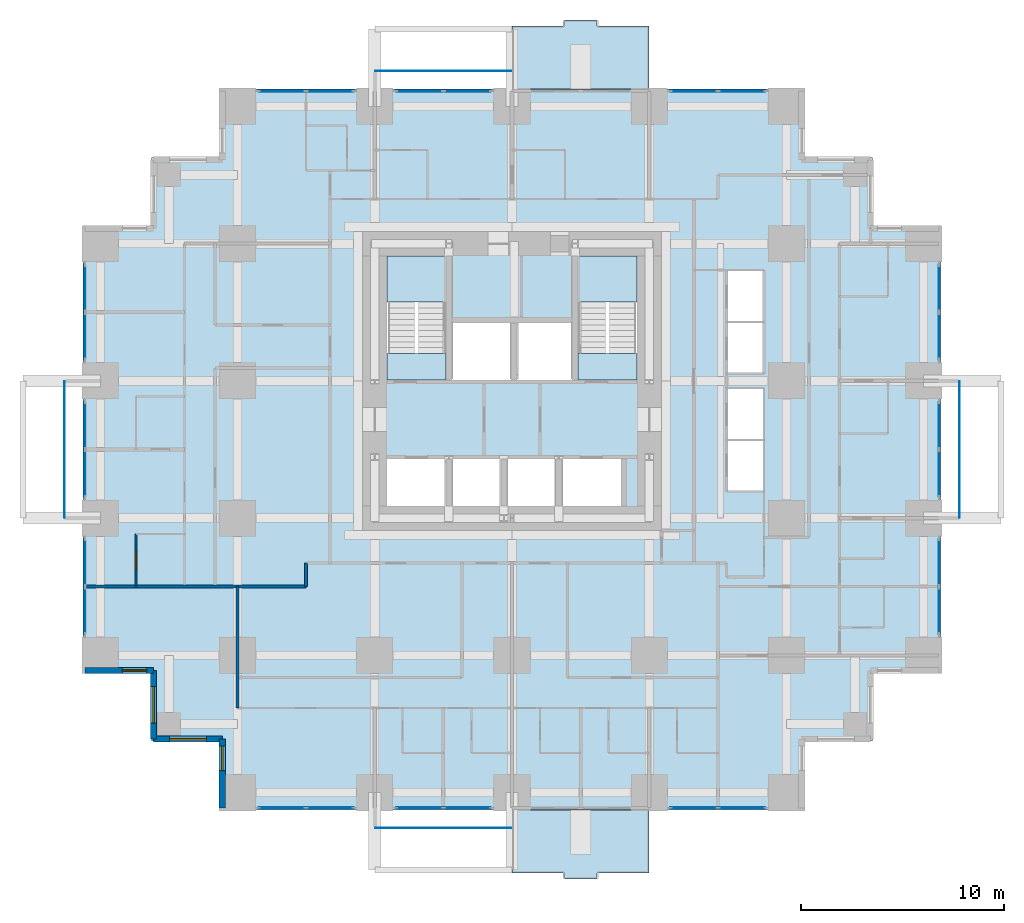
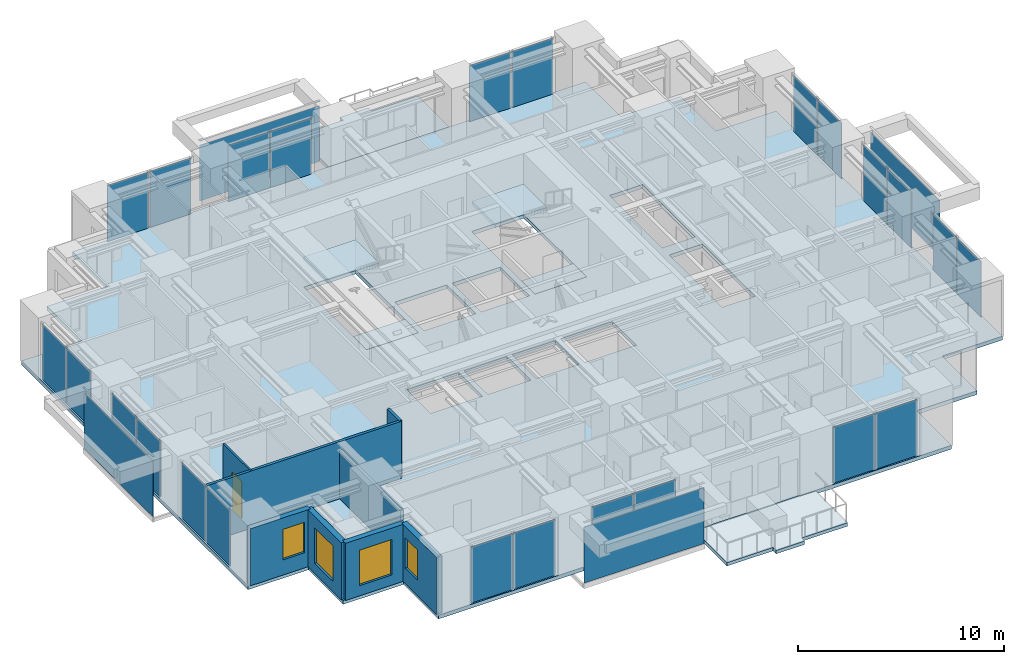
# One storey, part 6 of 12: 28 plates, 8 walls, 7 slabs, 4 windows, 1 door, 5 openings, 14 elements without a shape of their own.
"""IFC4 building model written with IfcOpenShell, lengths in metres."""

from ifc_helpers import new_model, si_unit, direction, frame, frame_2d, origin, origin_2d, place, context, subcontext, project, spatial, polyline, rectangle, outline, extrude, material, layer, layer_set, type_object, element, fill, aggregate, save


model = new_model("IFC4")

# Units and contexts
model_context = context("Model", 3, precision=1e-05, world=origin(), true_north=direction((0.0, 1.0)))
body_context = subcontext(model_context, "Body", "Model", "MODEL_VIEW")
ifc_project = project(units=[si_unit("LENGTHUNIT", "METRE"), si_unit("AREAUNIT", "SQUARE_METRE"), si_unit("VOLUMEUNIT", "CUBIC_METRE"), si_unit("PLANEANGLEUNIT", "RADIAN"), si_unit("MASSUNIT", "GRAM", prefix="KILO")], contexts=[model_context])

# Site, building, storey
site_placement = place(None, origin())
site = spatial("IfcSite", under=ifc_project, at=site_placement, CompositionType="ELEMENT")
building_placement = place(site_placement, origin())
building = spatial("IfcBuilding", under=site, at=building_placement, Name="Nyansa Garden Tower", CompositionType="ELEMENT")
storey_placement = place(building_placement, frame((0.0, 0.0, 90.89990234375)))
storey = spatial("IfcBuildingStorey", under=building, at=storey_placement, Name="L24", CompositionType="ELEMENT", Elevation=90.89990234375)

# Slabs
ifc_material_1 = material(Name="Concrete C40/50", Category="concrete")
ifc_layer_1 = layer(ifc_material_1, 0.199951171875)
ifc_layer_set_1 = layer_set([ifc_layer_1], Name="Balcony slab BS200")
slab_type_1 = type_object("IfcSlabType", Name="Balcony slab BS200", PredefinedType="FLOOR", material=ifc_layer_set_1)
slab_1_placement = place(storey_placement, frame((0.0, 0.0, -0.239990234375)))
element("IfcSlab", 1, at=slab_1_placement, inside=storey, type_object=slab_type_1, Name="Balcony L24 S", PredefinedType="FLOOR", context=body_context, shape_type="SweptSolid", body=[
    extrude(outline(polyline([(20.25, -0.85009765625), (27.0, -0.85009765625), (27.0, -3.949951171875), (24.425048828125, -3.949951171875), (24.425048828125, -4.25), (22.824951171875, -4.25), (22.824951171875, -3.949951171875), (20.25, -3.949951171875), (20.25, -0.85009765625)])), origin(), (0.0, 0.0, 1.0), 0.2001953125),
])
slab_2_placement = place(storey_placement, frame((0.0, 0.0, -0.239990234375)))
element("IfcSlab", 2, at=slab_2_placement, inside=storey, type_object=slab_type_1, Name="Balcony L24 N", PredefinedType="FLOOR", context=body_context, shape_type="SweptSolid", body=[
    extrude(outline(polyline([(20.25, 34.60009765625), (27.0, 34.60009765625), (27.0, 37.699951171875), (24.425048828125, 37.699951171875), (24.425048828125, 38.0), (22.824951171875, 38.0), (22.824951171875, 37.699951171875), (20.25, 37.699951171875), (20.25, 34.60009765625)])), origin(), (0.0, 0.0, 1.0), 0.2001953125),
])

# Curtain wall, plates
ifc_material_2 = material(Name="Black anodised aluminium, dark tinted double glazing", Category="aluminium")
curtain_wall_type = type_object("IfcCurtainWallType", Name="Inner skin curtain wall ISW-B", PredefinedType="USERDEFINED", material=ifc_material_2)
curtain_wall_1_placement = place(storey_placement, origin())
curtain_wall_1 = element("IfcCurtainWall", 3, at=curtain_wall_1_placement, inside=storey, type_object=curtain_wall_type, Name="Inner skin curtain wall L24 E", ObjectType="UNITISED CURTAIN WALL", PredefinedType="USERDEFINED")
ifc_material_3 = material(Name="Dark tinted laminated double glazing", Category="glass")
ifc_layer_2 = layer(ifc_material_3, 0.035888671875)
ifc_layer_set_2 = layer_set([ifc_layer_2], Name="Dark tinted vision panel VP-B")
plate_type_1 = type_object("IfcPlateType", Name="Dark tinted vision panel VP-B", PredefinedType="CURTAIN_PANEL", material=ifc_layer_set_2)
plate_1_placement = place(storey_placement, frame((41.25, 8.94384765625, 0.0), z_axis=(0.0, 0.0, 1.0), x_axis=(0.0, 1.0, 0.0)))
plate_1 = element("IfcPlate", 4, at=plate_1_placement, type_object=plate_type_1, Name="ISW-B panel 1", PredefinedType="CURTAIN_PANEL", context=body_context, shape_type="SweptSolid", body=[
    extrude(rectangle(XDim=2.297607421875, YDim=0.035888671875, at=origin_2d()), origin(), (0.0, 0.0, 1.0), 3.31005859375),
])
plate_2_placement = place(storey_placement, frame((41.25, 11.30615234375, 0.0), z_axis=(0.0, 0.0, 1.0), x_axis=(0.0, 1.0, 0.0)))
plate_2 = element("IfcPlate", 5, at=plate_2_placement, type_object=plate_type_1, Name="ISW-B panel 2", PredefinedType="CURTAIN_PANEL", context=body_context, shape_type="SweptSolid", body=[
    extrude(rectangle(XDim=2.297607421875, YDim=0.035888671875, at=origin_2d()), origin(), (0.0, 0.0, 1.0), 3.31005859375),
])
aggregate(curtain_wall_1, [plate_1, plate_2])

curtain_wall_2_placement = place(storey_placement, origin())
curtain_wall_2 = element("IfcCurtainWall", 6, at=curtain_wall_2_placement, inside=storey, type_object=curtain_wall_type, Name="Inner skin curtain wall L24 E", ObjectType="UNITISED CURTAIN WALL", PredefinedType="USERDEFINED")
plate_3_placement = place(storey_placement, frame((41.25, 15.69384765625, 0.0), z_axis=(0.0, 0.0, 1.0), x_axis=(0.0, 1.0, 0.0)))
plate_3 = element("IfcPlate", 7, at=plate_3_placement, type_object=plate_type_1, Name="ISW-B panel 1", PredefinedType="CURTAIN_PANEL", context=body_context, shape_type="SweptSolid", body=[
    extrude(rectangle(XDim=2.297607421875, YDim=0.035888671875, at=origin_2d()), origin(), (0.0, 0.0, 1.0), 3.31005859375),
])
plate_4_placement = place(storey_placement, frame((41.25, 18.05615234375, 0.0), z_axis=(0.0, 0.0, 1.0), x_axis=(0.0, 1.0, 0.0)))
plate_4 = element("IfcPlate", 8, at=plate_4_placement, type_object=plate_type_1, Name="ISW-B panel 2", PredefinedType="CURTAIN_PANEL", context=body_context, shape_type="SweptSolid", body=[
    extrude(rectangle(XDim=2.297607421875, YDim=0.035888671875, at=origin_2d()), origin(), (0.0, 0.0, 1.0), 3.31005859375),
])
aggregate(curtain_wall_2, [plate_3, plate_4])

curtain_wall_3_placement = place(storey_placement, origin())
curtain_wall_3 = element("IfcCurtainWall", 9, at=curtain_wall_3_placement, inside=storey, type_object=curtain_wall_type, Name="Inner skin curtain wall L24 E", ObjectType="UNITISED CURTAIN WALL", PredefinedType="USERDEFINED")
plate_5_placement = place(storey_placement, frame((41.25, 22.44384765625, 0.0), z_axis=(0.0, 0.0, 1.0), x_axis=(0.0, 1.0, 0.0)))
plate_5 = element("IfcPlate", 10, at=plate_5_placement, type_object=plate_type_1, Name="ISW-B panel 1", PredefinedType="CURTAIN_PANEL", context=body_context, shape_type="SweptSolid", body=[
    extrude(rectangle(XDim=2.297607421875, YDim=0.035888671875, at=origin_2d()), origin(), (0.0, 0.0, 1.0), 3.31005859375),
])
plate_6_placement = place(storey_placement, frame((41.25, 24.80615234375, 0.0), z_axis=(0.0, 0.0, 1.0), x_axis=(0.0, 1.0, 0.0)))
plate_6 = element("IfcPlate", 11, at=plate_6_placement, type_object=plate_type_1, Name="ISW-B panel 2", PredefinedType="CURTAIN_PANEL", context=body_context, shape_type="SweptSolid", body=[
    extrude(rectangle(XDim=2.297607421875, YDim=0.035888671875, at=origin_2d()), origin(), (0.0, 0.0, 1.0), 3.31005859375),
])
aggregate(curtain_wall_3, [plate_5, plate_6])

curtain_wall_4_placement = place(storey_placement, origin())
curtain_wall_4 = element("IfcCurtainWall", 12, at=curtain_wall_4_placement, inside=storey, type_object=curtain_wall_type, Name="Inner skin curtain wall L24 N", ObjectType="UNITISED CURTAIN WALL", PredefinedType="USERDEFINED")
plate_7_placement = place(storey_placement, frame((18.05615234375, 34.5, 0.0), z_axis=(0.0, 0.0, 1.0), x_axis=(-1.0, 0.0, 0.0)))
plate_7 = element("IfcPlate", 13, at=plate_7_placement, type_object=plate_type_1, Name="ISW-B panel 1", PredefinedType="CURTAIN_PANEL", context=body_context, shape_type="SweptSolid", body=[
    extrude(rectangle(XDim=2.297607421875, YDim=0.035888671875, at=origin_2d()), origin(), (0.0, 0.0, 1.0), 3.31005859375),
])
plate_8_placement = place(storey_placement, frame((15.69384765625, 34.5, 0.0), z_axis=(0.0, 0.0, 1.0), x_axis=(-1.0, 0.0, 0.0)))
plate_8 = element("IfcPlate", 14, at=plate_8_placement, type_object=plate_type_1, Name="ISW-B panel 2", PredefinedType="CURTAIN_PANEL", context=body_context, shape_type="SweptSolid", body=[
    extrude(rectangle(XDim=2.297607421875, YDim=0.035888671875, at=origin_2d()), origin(), (0.0, 0.0, 1.0), 3.31005859375),
])
aggregate(curtain_wall_4, [plate_7, plate_8])

curtain_wall_5_placement = place(storey_placement, origin())
curtain_wall_5 = element("IfcCurtainWall", 15, at=curtain_wall_5_placement, inside=storey, type_object=curtain_wall_type, Name="Inner skin curtain wall L24 N", ObjectType="UNITISED CURTAIN WALL", PredefinedType="USERDEFINED")
plate_9_placement = place(storey_placement, frame((11.30615234375, 34.5, 0.0), z_axis=(0.0, 0.0, 1.0), x_axis=(-1.0, 0.0, 0.0)))
plate_9 = element("IfcPlate", 16, at=plate_9_placement, type_object=plate_type_1, Name="ISW-B panel 1", PredefinedType="CURTAIN_PANEL", context=body_context, shape_type="SweptSolid", body=[
    extrude(rectangle(XDim=2.297607421875, YDim=0.035888671875, at=origin_2d()), origin(), (0.0, 0.0, 1.0), 3.31005859375),
])
plate_10_placement = place(storey_placement, frame((8.94384765625, 34.5, 0.0), z_axis=(0.0, 0.0, 1.0), x_axis=(-1.0, 0.0, 0.0)))
plate_10 = element("IfcPlate", 17, at=plate_10_placement, type_object=plate_type_1, Name="ISW-B panel 2", PredefinedType="CURTAIN_PANEL", context=body_context, shape_type="SweptSolid", body=[
    extrude(rectangle(XDim=2.297607421875, YDim=0.035888671875, at=origin_2d()), origin(), (0.0, 0.0, 1.0), 3.31005859375),
])
aggregate(curtain_wall_5, [plate_9, plate_10])

curtain_wall_6_placement = place(storey_placement, origin())
curtain_wall_6 = element("IfcCurtainWall", 18, at=curtain_wall_6_placement, inside=storey, type_object=curtain_wall_type, Name="Inner skin curtain wall L24 N", ObjectType="UNITISED CURTAIN WALL", PredefinedType="USERDEFINED")
plate_11_placement = place(storey_placement, frame((31.55615234375, 34.5, 0.0), z_axis=(0.0, 0.0, 1.0), x_axis=(-1.0, 0.0, 0.0)))
plate_11 = element("IfcPlate", 19, at=plate_11_placement, type_object=plate_type_1, Name="ISW-B panel 1", PredefinedType="CURTAIN_PANEL", context=body_context, shape_type="SweptSolid", body=[
    extrude(rectangle(XDim=2.297607421875, YDim=0.035888671875, at=origin_2d()), origin(), (0.0, 0.0, 1.0), 3.31005859375),
])
plate_12_placement = place(storey_placement, frame((29.19384765625, 34.5, 0.0), z_axis=(0.0, 0.0, 1.0), x_axis=(-1.0, 0.0, 0.0)))
plate_12 = element("IfcPlate", 20, at=plate_12_placement, type_object=plate_type_1, Name="ISW-B panel 2", PredefinedType="CURTAIN_PANEL", context=body_context, shape_type="SweptSolid", body=[
    extrude(rectangle(XDim=2.297607421875, YDim=0.035888671875, at=origin_2d()), origin(), (0.0, 0.0, 1.0), 3.31005859375),
])
aggregate(curtain_wall_6, [plate_11, plate_12])

curtain_wall_7_placement = place(storey_placement, origin())
curtain_wall_7 = element("IfcCurtainWall", 21, at=curtain_wall_7_placement, inside=storey, type_object=curtain_wall_type, Name="Inner skin curtain wall L24 W", ObjectType="UNITISED CURTAIN WALL", PredefinedType="USERDEFINED")
plate_13_placement = place(storey_placement, frame((-0.75, 24.80615234375, 0.0), z_axis=(0.0, 0.0, 1.0), x_axis=(0.0, -1.0, 0.0)))
plate_13 = element("IfcPlate", 22, at=plate_13_placement, type_object=plate_type_1, Name="ISW-B panel 1", PredefinedType="CURTAIN_PANEL", context=body_context, shape_type="SweptSolid", body=[
    extrude(rectangle(XDim=2.297607421875, YDim=0.035888671875, at=origin_2d()), origin(), (0.0, 0.0, 1.0), 3.31005859375),
])
plate_14_placement = place(storey_placement, frame((-0.75, 22.44384765625, 0.0), z_axis=(0.0, 0.0, 1.0), x_axis=(0.0, -1.0, 0.0)))
plate_14 = element("IfcPlate", 23, at=plate_14_placement, type_object=plate_type_1, Name="ISW-B panel 2", PredefinedType="CURTAIN_PANEL", context=body_context, shape_type="SweptSolid", body=[
    extrude(rectangle(XDim=2.297607421875, YDim=0.035888671875, at=origin_2d()), origin(), (0.0, 0.0, 1.0), 3.31005859375),
])
aggregate(curtain_wall_7, [plate_13, plate_14])

curtain_wall_8_placement = place(storey_placement, origin())
curtain_wall_8 = element("IfcCurtainWall", 24, at=curtain_wall_8_placement, inside=storey, type_object=curtain_wall_type, Name="Inner skin curtain wall L24 W", ObjectType="UNITISED CURTAIN WALL", PredefinedType="USERDEFINED")
plate_15_placement = place(storey_placement, frame((-0.75, 18.05615234375, 0.0), z_axis=(0.0, 0.0, 1.0), x_axis=(0.0, -1.0, 0.0)))
plate_15 = element("IfcPlate", 25, at=plate_15_placement, type_object=plate_type_1, Name="ISW-B panel 1", PredefinedType="CURTAIN_PANEL", context=body_context, shape_type="SweptSolid", body=[
    extrude(rectangle(XDim=2.297607421875, YDim=0.035888671875, at=origin_2d()), origin(), (0.0, 0.0, 1.0), 3.31005859375),
])
plate_16_placement = place(storey_placement, frame((-0.75, 15.69384765625, 0.0), z_axis=(0.0, 0.0, 1.0), x_axis=(0.0, -1.0, 0.0)))
plate_16 = element("IfcPlate", 26, at=plate_16_placement, type_object=plate_type_1, Name="ISW-B panel 2", PredefinedType="CURTAIN_PANEL", context=body_context, shape_type="SweptSolid", body=[
    extrude(rectangle(XDim=2.297607421875, YDim=0.035888671875, at=origin_2d()), origin(), (0.0, 0.0, 1.0), 3.31005859375),
])
aggregate(curtain_wall_8, [plate_15, plate_16])

curtain_wall_9_placement = place(storey_placement, origin())
curtain_wall_9 = element("IfcCurtainWall", 27, at=curtain_wall_9_placement, inside=storey, type_object=curtain_wall_type, Name="Inner skin curtain wall L24 W", ObjectType="UNITISED CURTAIN WALL", PredefinedType="USERDEFINED")
plate_17_placement = place(storey_placement, frame((-0.75, 11.30615234375, 0.0), z_axis=(0.0, 0.0, 1.0), x_axis=(0.0, -1.0, 0.0)))
plate_17 = element("IfcPlate", 28, at=plate_17_placement, type_object=plate_type_1, Name="ISW-B panel 1", PredefinedType="CURTAIN_PANEL", context=body_context, shape_type="SweptSolid", body=[
    extrude(rectangle(XDim=2.297607421875, YDim=0.035888671875, at=origin_2d()), origin(), (0.0, 0.0, 1.0), 3.31005859375),
])
plate_18_placement = place(storey_placement, frame((-0.75, 8.94384765625, 0.0), z_axis=(0.0, 0.0, 1.0), x_axis=(0.0, -1.0, 0.0)))
plate_18 = element("IfcPlate", 29, at=plate_18_placement, type_object=plate_type_1, Name="ISW-B panel 2", PredefinedType="CURTAIN_PANEL", context=body_context, shape_type="SweptSolid", body=[
    extrude(rectangle(XDim=2.297607421875, YDim=0.035888671875, at=origin_2d()), origin(), (0.0, 0.0, 1.0), 3.31005859375),
])
aggregate(curtain_wall_9, [plate_17, plate_18])

curtain_wall_10_placement = place(storey_placement, origin())
curtain_wall_10 = element("IfcCurtainWall", 30, at=curtain_wall_10_placement, inside=storey, type_object=curtain_wall_type, Name="Inner skin curtain wall L24 S", ObjectType="UNITISED CURTAIN WALL", PredefinedType="USERDEFINED")
plate_19_placement = place(storey_placement, frame((8.94384765625, -0.75, 0.0), z_axis=(0.0, 0.0, 1.0), x_axis=(1.0, 0.0, 0.0)))
plate_19 = element("IfcPlate", 31, at=plate_19_placement, type_object=plate_type_1, Name="ISW-B panel 1", PredefinedType="CURTAIN_PANEL", context=body_context, shape_type="SweptSolid", body=[
    extrude(rectangle(XDim=2.297607421875, YDim=0.035888671875, at=origin_2d()), origin(), (0.0, 0.0, 1.0), 3.31005859375),
])
plate_20_placement = place(storey_placement, frame((11.30615234375, -0.75, 0.0), z_axis=(0.0, 0.0, 1.0), x_axis=(1.0, 0.0, 0.0)))
plate_20 = element("IfcPlate", 32, at=plate_20_placement, type_object=plate_type_1, Name="ISW-B panel 2", PredefinedType="CURTAIN_PANEL", context=body_context, shape_type="SweptSolid", body=[
    extrude(rectangle(XDim=2.297607421875, YDim=0.035888671875, at=origin_2d()), origin(), (0.0, 0.0, 1.0), 3.31005859375),
])
aggregate(curtain_wall_10, [plate_19, plate_20])

curtain_wall_11_placement = place(storey_placement, origin())
curtain_wall_11 = element("IfcCurtainWall", 33, at=curtain_wall_11_placement, inside=storey, type_object=curtain_wall_type, Name="Inner skin curtain wall L24 S", ObjectType="UNITISED CURTAIN WALL", PredefinedType="USERDEFINED")
plate_21_placement = place(storey_placement, frame((15.69384765625, -0.75, 0.0), z_axis=(0.0, 0.0, 1.0), x_axis=(1.0, 0.0, 0.0)))
plate_21 = element("IfcPlate", 34, at=plate_21_placement, type_object=plate_type_1, Name="ISW-B panel 1", PredefinedType="CURTAIN_PANEL", context=body_context, shape_type="SweptSolid", body=[
    extrude(rectangle(XDim=2.297607421875, YDim=0.035888671875, at=origin_2d()), origin(), (0.0, 0.0, 1.0), 3.31005859375),
])
plate_22_placement = place(storey_placement, frame((18.05615234375, -0.75, 0.0), z_axis=(0.0, 0.0, 1.0), x_axis=(1.0, 0.0, 0.0)))
plate_22 = element("IfcPlate", 35, at=plate_22_placement, type_object=plate_type_1, Name="ISW-B panel 2", PredefinedType="CURTAIN_PANEL", context=body_context, shape_type="SweptSolid", body=[
    extrude(rectangle(XDim=2.297607421875, YDim=0.035888671875, at=origin_2d()), origin(), (0.0, 0.0, 1.0), 3.31005859375),
])
aggregate(curtain_wall_11, [plate_21, plate_22])

curtain_wall_12_placement = place(storey_placement, origin())
curtain_wall_12 = element("IfcCurtainWall", 36, at=curtain_wall_12_placement, inside=storey, type_object=curtain_wall_type, Name="Inner skin curtain wall L24 S", ObjectType="UNITISED CURTAIN WALL", PredefinedType="USERDEFINED")
plate_23_placement = place(storey_placement, frame((29.19384765625, -0.75, 0.0), z_axis=(0.0, 0.0, 1.0), x_axis=(1.0, 0.0, 0.0)))
plate_23 = element("IfcPlate", 37, at=plate_23_placement, type_object=plate_type_1, Name="ISW-B panel 1", PredefinedType="CURTAIN_PANEL", context=body_context, shape_type="SweptSolid", body=[
    extrude(rectangle(XDim=2.297607421875, YDim=0.035888671875, at=origin_2d()), origin(), (0.0, 0.0, 1.0), 3.31005859375),
])
plate_24_placement = place(storey_placement, frame((31.55615234375, -0.75, 0.0), z_axis=(0.0, 0.0, 1.0), x_axis=(1.0, 0.0, 0.0)))
plate_24 = element("IfcPlate", 38, at=plate_24_placement, type_object=plate_type_1, Name="ISW-B panel 2", PredefinedType="CURTAIN_PANEL", context=body_context, shape_type="SweptSolid", body=[
    extrude(rectangle(XDim=2.297607421875, YDim=0.035888671875, at=origin_2d()), origin(), (0.0, 0.0, 1.0), 3.31005859375),
])
aggregate(curtain_wall_12, [plate_23, plate_24])

# Slab
ifc_material_4 = material(Name="Concrete C40/50", Category="concrete")
ifc_layer_3 = layer(ifc_material_4, 0.22509765625)
ifc_layer_set_3 = layer_set([ifc_layer_3], Name="Floor slab FS225")
slab_type_2 = type_object("IfcSlabType", Name="Floor slab FS225", PredefinedType="FLOOR", material=ifc_layer_set_3)
slab_3_placement = place(storey_placement, frame((0.0, 0.0, -0.224853515625)))
element("IfcSlab", 39, at=slab_3_placement, inside=storey, type_object=slab_type_2, Name="Floor slab L24", PredefinedType="FLOOR", context=body_context, shape_type="SweptSolid", body=[
    extrude(outline(polyline([(41.35009765625, 5.89990234375), (37.97509765625, 5.89990234375), (37.97509765625, 2.52490234375), (34.60009765625, 2.52490234375), (34.60009765625, -0.85009765625), (5.89990234375, -0.85009765625), (5.89990234375, 2.52490234375), (2.52490234375, 2.52490234375), (2.52490234375, 5.89990234375), (-0.85009765625, 5.89990234375), (-0.85009765625, 27.85009765625), (2.52490234375, 27.85009765625), (2.52490234375, 31.22509765625), (5.89990234375, 31.22509765625), (5.89990234375, 34.60009765625), (34.60009765625, 34.60009765625), (34.60009765625, 31.22509765625), (37.97509765625, 31.22509765625), (37.97509765625, 27.85009765625), (41.35009765625, 27.85009765625), (41.35009765625, 5.89990234375)]), holes=[polyline([(14.10009765625, 14.10009765625), (17.0, 14.10009765625), (17.0, 16.39990234375), (14.10009765625, 16.39990234375), (14.10009765625, 14.10009765625)]), polyline([(17.300048828125, 14.10009765625), (19.699951171875, 14.10009765625), (19.699951171875, 16.39990234375), (17.300048828125, 16.39990234375), (17.300048828125, 14.10009765625)]), polyline([(20.0, 14.10009765625), (22.39990234375, 14.10009765625), (22.39990234375, 16.39990234375), (20.0, 16.39990234375), (20.0, 14.10009765625)]), polyline([(22.699951171875, 14.10009765625), (25.60009765625, 14.10009765625), (25.60009765625, 16.39990234375), (22.699951171875, 16.39990234375), (22.699951171875, 14.10009765625)]), polyline([(17.300048828125, 20.300048828125), (20.199951171875, 20.300048828125), (20.199951171875, 23.10009765625), (17.300048828125, 23.10009765625), (17.300048828125, 20.300048828125)]), polyline([(20.5, 20.300048828125), (23.199951171875, 20.300048828125), (23.199951171875, 23.10009765625), (20.5, 23.10009765625), (20.5, 20.300048828125)]), polyline([(30.800048828125, 14.800048828125), (32.64990234375, 14.800048828125), (32.64990234375, 19.89990234375), (30.800048828125, 19.89990234375), (30.800048828125, 14.800048828125)]), polyline([(30.800048828125, 20.60009765625), (32.64990234375, 20.60009765625), (32.64990234375, 25.699951171875), (30.800048828125, 25.699951171875), (30.800048828125, 20.60009765625)]), polyline([(14.10009765625, 20.300048828125), (17.0, 20.300048828125), (17.0, 26.39990234375), (14.10009765625, 26.39990234375), (14.10009765625, 20.300048828125)]), polyline([(23.5, 20.300048828125), (26.39990234375, 20.300048828125), (26.39990234375, 26.39990234375), (23.5, 26.39990234375), (23.5, 20.300048828125)])]), origin(), (0.0, 0.0, 1.0), 0.224853515625),
])

# Plates
ifc_material_5 = material(Name="Dark tinted laminated glass", Category="glass")
ifc_layer_4 = layer(ifc_material_5, 0.02392578125)
ifc_layer_set_4 = layer_set([ifc_layer_4], Name="Outer skin glass panel OS1")
plate_type_2 = type_object("IfcPlateType", Name="Outer skin glass panel OS1", PredefinedType="USERDEFINED", material=ifc_layer_set_4)
for number, where, z_axis, x_axis, name in (
    (40, (42.25, 16.875, -0.22509765625), (0.0, 0.0, 1.0), (0.0, 1.0, 0.0), "Outer skin glass panel L24"),
    (41, (16.875, 35.5, -0.22509765625), (0.0, 0.0, 1.0), (1.0, 0.0, 0.0), "Outer skin glass panel L24"),
    (42, (-1.75, 16.875, -0.22509765625), (0.0, 0.0, 1.0), (0.0, 1.0, 0.0), "Outer skin glass panel L24"),
    (43, (16.875, -1.75, -0.22509765625), (0.0, 0.0, 1.0), (1.0, 0.0, 0.0), "Outer skin glass panel L24"),
):
    element("IfcPlate", number, at=place(storey_placement, frame(where, z_axis=z_axis, x_axis=x_axis)), inside=storey, type_object=plate_type_2, Name=name, ObjectType="OUTER SKIN GLASS", PredefinedType="USERDEFINED", context=body_context, shape_type="SweptSolid", body=[
        extrude(rectangle(XDim=6.7099609375, YDim=0.02392578125, at=origin_2d()), origin(), (0.0, 0.0, 1.0), 3.300048828125),
    ])

# Stair, slabs
ifc_material_6 = material(Name="Precast concrete C40/50", Category="concrete")
stair_type_1 = type_object("IfcStairType", Name="Stair S1 180x280", PredefinedType="HALF_TURN_STAIR", material=ifc_material_6)
stair_1_placement = place(storey_placement, origin())
stair_1 = element("IfcStair", 44, at=stair_1_placement, inside=storey, type_object=stair_type_1, Name="Stair S1 L24", PredefinedType="HALF_TURN_STAIR")
ifc_material_7 = material(Name="Concrete C40/50", Category="concrete")
ifc_layer_5 = layer(ifc_material_7, 0.199951171875)
ifc_layer_set_5 = layer_set([ifc_layer_5], Name="Stair landing SL200")
slab_type_3 = type_object("IfcSlabType", Name="Stair landing SL200", PredefinedType="LANDING", material=ifc_layer_set_5)
slab_4_placement = place(storey_placement, frame((0.0, 0.0, -0.199951171875)))
slab_4 = element("IfcSlab", 45, at=slab_4_placement, type_object=slab_type_3, Name="S1 landing 1", PredefinedType="LANDING", context=body_context, shape_type="SweptSolid", body=[
    extrude(outline(polyline([(14.10009765625, 20.300048828125), (17.0, 20.300048828125), (17.0, 21.60009765625), (14.10009765625, 21.60009765625), (14.10009765625, 20.300048828125)])), origin(), (0.0, 0.0, 1.0), 0.199951171875),
])
slab_5_placement = place(storey_placement, frame((0.0, 0.0, 1.60009765625)))
slab_5 = element("IfcSlab", 46, at=slab_5_placement, type_object=slab_type_3, Name="S1 landing 2", PredefinedType="LANDING", context=body_context, shape_type="SweptSolid", body=[
    extrude(outline(polyline([(14.10009765625, 24.1201171875), (17.0, 24.1201171875), (17.0, 26.39990234375), (14.10009765625, 26.39990234375), (14.10009765625, 24.1201171875)])), origin(), (0.0, 0.0, 1.0), 0.199951171875),
])
aggregate(stair_1, [slab_4, slab_5])

ifc_material_8 = material(Name="Precast concrete C40/50", Category="concrete")
stair_type_2 = type_object("IfcStairType", Name="Stair S2 180x280", PredefinedType="HALF_TURN_STAIR", material=ifc_material_8)
stair_2_placement = place(storey_placement, origin())
stair_2 = element("IfcStair", 47, at=stair_2_placement, inside=storey, type_object=stair_type_2, Name="Stair S2 L24", PredefinedType="HALF_TURN_STAIR")
slab_6_placement = place(storey_placement, frame((0.0, 0.0, -0.199951171875)))
slab_6 = element("IfcSlab", 48, at=slab_6_placement, type_object=slab_type_3, Name="S2 landing 1", PredefinedType="LANDING", context=body_context, shape_type="SweptSolid", body=[
    extrude(outline(polyline([(23.5, 20.300048828125), (26.39990234375, 20.300048828125), (26.39990234375, 21.60009765625), (23.5, 21.60009765625), (23.5, 20.300048828125)])), origin(), (0.0, 0.0, 1.0), 0.199951171875),
])
slab_7_placement = place(storey_placement, frame((0.0, 0.0, 1.60009765625)))
slab_7 = element("IfcSlab", 49, at=slab_7_placement, type_object=slab_type_3, Name="S2 landing 2", PredefinedType="LANDING", context=body_context, shape_type="SweptSolid", body=[
    extrude(outline(polyline([(23.5, 24.1201171875), (26.39990234375, 24.1201171875), (26.39990234375, 26.39990234375), (23.5, 26.39990234375), (23.5, 24.1201171875)])), origin(), (0.0, 0.0, 1.0), 0.199951171875),
])
aggregate(stair_2, [slab_6, slab_7])

# Walls
ifc_material_9 = material(Name="Blockwork, plastered both sides", Category="masonry")
ifc_layer_6 = layer(ifc_material_9, 0.14990234375)
ifc_layer_set_6 = layer_set([ifc_layer_6], Name="Partition PW150")
wall_type_1 = type_object("IfcWallType", Name="Partition PW150", PredefinedType="PARTITIONING", material=ifc_layer_set_6)
wall_1_placement = place(storey_placement, frame((-0.73388671875, 10.125, 0.0), z_axis=(0.0, 0.0, 1.0), x_axis=(1.0, 0.0, 0.0)))
element("IfcWall", 50, at=wall_1_placement, inside=storey, type_object=wall_type_1, Name="Partition", PredefinedType="PARTITIONING", context=body_context, shape_type="SweptSolid", body=[
    extrude(rectangle(XDim=10.85888671875, YDim=0.14990234375, at=frame_2d((5.429443359375, 0.0))), origin(), (0.0, 0.0, 1.0), 3.375),
])
wall_2_placement = place(storey_placement, frame((6.75, 4.14990234375, 0.0), z_axis=(0.0, 0.0, 1.0), x_axis=(0.0, 1.0, 0.0)))
element("IfcWall", 51, at=wall_2_placement, inside=storey, type_object=wall_type_1, Name="Partition", PredefinedType="PARTITIONING", context=body_context, shape_type="SweptSolid", body=[
    extrude(rectangle(XDim=5.97509765625, YDim=0.14990234375, at=frame_2d((2.987548828125, 0.0))), origin(), (0.0, 0.0, 1.0), 2.877197265625),
])
wall_3_placement = place(storey_placement, frame((10.125, 10.125, 0.0), z_axis=(0.0, 0.0, 1.0), x_axis=(0.0, 1.0, 0.0)))
element("IfcWall", 52, at=wall_3_placement, inside=storey, type_object=wall_type_1, Name="Partition", PredefinedType="PARTITIONING", context=body_context, shape_type="SweptSolid", body=[
    extrude(rectangle(XDim=1.175048828125, YDim=0.14990234375, at=frame_2d((0.58740234375, 0.0))), origin(), (0.0, 0.0, 1.0), 3.375),
])

# Wall, opening, window
ifc_material_10 = material(Name="Turquoise glazed tile on concrete blockwork", Category="masonry")
ifc_layer_7 = layer(ifc_material_10, 0.300048828125)
ifc_layer_set_7 = layer_set([ifc_layer_7], Name="Tiled corner wall TW300")
wall_type_2 = type_object("IfcWallType", Name="Tiled corner wall TW300", PredefinedType="SOLIDWALL", material=ifc_layer_set_7)
wall_4_placement = place(storey_placement, frame((-0.75, 6.0, 0.0), z_axis=(0.0, 0.0, 1.0), x_axis=(1.0, 0.0, 0.0)))
wall_4 = element("IfcWall", 53, at=wall_4_placement, inside=storey, type_object=wall_type_2, Name="Tiled corner wall L24", PredefinedType="SOLIDWALL", context=body_context, shape_type="SweptSolid", body=[
    extrude(rectangle(XDim=3.375, YDim=0.300048828125, at=frame_2d((1.6875, 0.0))), origin(), (0.0, 0.0, 1.0), 3.375),
])
opening_1_placement = place(wall_4_placement, frame((1.83251953125, 0.0, 0.89990234375)))
opening_1 = element("IfcOpeningElement", 54, at=opening_1_placement, cuts=wall_4, Name="Opening W4", PredefinedType="OPENING", context=body_context, shape_type="SweptSolid", body=[
    extrude(rectangle(XDim=1.199951171875, YDim=1.800048828125, at=frame_2d((0.60009765625, 0.89990234375))), frame((0.0, 0.159912109375, 0.0), z_axis=(0.0, -1.0, 0.0), x_axis=(1.0, 0.0, 0.0)), (0.0, 0.0, 1.0), 0.320068359375),
])
ifc_material_11 = material(Name="Black aluminium frame, dark tinted double glazing", Category="aluminium")
window_type_1 = type_object("IfcWindowType", Name="Window W4 1200x1800", PartitioningType="SINGLE_PANEL", PredefinedType="WINDOW", material=ifc_material_11)
window_1_placement = place(opening_1_placement, origin())
window_1 = element("IfcWindow", 55, at=window_1_placement, inside=storey, type_object=window_type_1, Name="Corner window L24", OverallHeight=1.800048828125, OverallWidth=1.199951171875, PartitioningType="SINGLE_PANEL", PredefinedType="WINDOW", context=body_context, shape_type="SweptSolid", body=[
    extrude(rectangle(XDim=1.199951171875, YDim=1.800048828125, at=frame_2d((0.60009765625, 0.89990234375))), frame((0.0, 0.030029296875, 0.0), z_axis=(0.0, -1.0, 0.0), x_axis=(1.0, 0.0, 0.0)), (0.0, 0.0, 1.0), 0.06005859375),
])
fill(opening_1, window_1)

wall_5_placement = place(storey_placement, frame((2.625, 6.0, 0.0), z_axis=(0.0, 0.0, 1.0), x_axis=(0.0, -1.0, 0.0)))
wall_5 = element("IfcWall", 56, at=wall_5_placement, inside=storey, type_object=wall_type_2, Name="Tiled corner wall L24", PredefinedType="SOLIDWALL", context=body_context, shape_type="SweptSolid", body=[
    extrude(rectangle(XDim=3.375, YDim=0.300048828125, at=frame_2d((1.6875, 0.0))), origin(), (0.0, 0.0, 1.0), 3.375),
])
opening_2_placement = place(wall_5_placement, frame((0.78759765625, 0.0, 0.60009765625)))
opening_2 = element("IfcOpeningElement", 57, at=opening_2_placement, cuts=wall_5, Name="Opening W2", PredefinedType="OPENING", context=body_context, shape_type="SweptSolid", body=[
    extrude(rectangle(XDim=1.800048828125, YDim=2.10009765625, at=frame_2d((0.89990234375, 1.050048828125))), frame((0.0, 0.159912109375, 0.0), z_axis=(0.0, -1.0, 0.0), x_axis=(1.0, 0.0, 0.0)), (0.0, 0.0, 1.0), 0.320068359375),
])
ifc_material_12 = material(Name="Black aluminium frame, dark tinted double glazing", Category="aluminium")
window_type_2 = type_object("IfcWindowType", Name="Window W2 1800x2100", PartitioningType="SINGLE_PANEL", PredefinedType="WINDOW", material=ifc_material_12)
window_2_placement = place(opening_2_placement, origin())
window_2 = element("IfcWindow", 58, at=window_2_placement, inside=storey, type_object=window_type_2, Name="Corner window L24", OverallHeight=2.10009765625, OverallWidth=1.800048828125, PartitioningType="SINGLE_PANEL", PredefinedType="WINDOW", context=body_context, shape_type="SweptSolid", body=[
    extrude(rectangle(XDim=1.800048828125, YDim=2.10009765625, at=frame_2d((0.89990234375, 1.050048828125))), frame((0.0, 0.030029296875, 0.0), z_axis=(0.0, -1.0, 0.0), x_axis=(1.0, 0.0, 0.0)), (0.0, 0.0, 1.0), 0.06005859375),
])
fill(opening_2, window_2)

wall_6_placement = place(storey_placement, frame((2.625, 2.625, 0.0), z_axis=(0.0, 0.0, 1.0), x_axis=(1.0, 0.0, 0.0)))
wall_6 = element("IfcWall", 59, at=wall_6_placement, inside=storey, type_object=wall_type_2, Name="Tiled corner wall L24", PredefinedType="SOLIDWALL", context=body_context, shape_type="SweptSolid", body=[
    extrude(rectangle(XDim=3.375, YDim=0.300048828125, at=frame_2d((1.6875, 0.0))), origin(), (0.0, 0.0, 1.0), 3.375),
])
opening_3_placement = place(wall_6_placement, frame((0.78759765625, 0.0, 0.60009765625)))
opening_3 = element("IfcOpeningElement", 60, at=opening_3_placement, cuts=wall_6, Name="Opening W2", PredefinedType="OPENING", context=body_context, shape_type="SweptSolid", body=[
    extrude(rectangle(XDim=1.800048828125, YDim=2.10009765625, at=frame_2d((0.89990234375, 1.050048828125))), frame((0.0, 0.159912109375, 0.0), z_axis=(0.0, -1.0, 0.0), x_axis=(1.0, 0.0, 0.0)), (0.0, 0.0, 1.0), 0.320068359375),
])
window_3_placement = place(opening_3_placement, origin())
window_3 = element("IfcWindow", 61, at=window_3_placement, inside=storey, type_object=window_type_2, Name="Corner window L24", OverallHeight=2.10009765625, OverallWidth=1.800048828125, PartitioningType="SINGLE_PANEL", PredefinedType="WINDOW", context=body_context, shape_type="SweptSolid", body=[
    extrude(rectangle(XDim=1.800048828125, YDim=2.10009765625, at=frame_2d((0.89990234375, 1.050048828125))), frame((0.0, 0.030029296875, 0.0), z_axis=(0.0, -1.0, 0.0), x_axis=(1.0, 0.0, 0.0)), (0.0, 0.0, 1.0), 0.06005859375),
])
fill(opening_3, window_3)

wall_7_placement = place(storey_placement, frame((6.0, 2.625, 0.0), z_axis=(0.0, 0.0, 1.0), x_axis=(0.0, -1.0, 0.0)))
wall_7 = element("IfcWall", 62, at=wall_7_placement, inside=storey, type_object=wall_type_2, Name="Tiled corner wall L24", PredefinedType="SOLIDWALL", context=body_context, shape_type="SweptSolid", body=[
    extrude(rectangle(XDim=3.375, YDim=0.300048828125, at=frame_2d((1.6875, 0.0))), origin(), (0.0, 0.0, 1.0), 3.375),
])
opening_4_placement = place(wall_7_placement, frame((0.342529296875, 0.0, 0.89990234375)))
opening_4 = element("IfcOpeningElement", 63, at=opening_4_placement, cuts=wall_7, Name="Opening W4", PredefinedType="OPENING", context=body_context, shape_type="SweptSolid", body=[
    extrude(rectangle(XDim=1.199951171875, YDim=1.800048828125, at=frame_2d((0.60009765625, 0.89990234375))), frame((0.0, 0.159912109375, 0.0), z_axis=(0.0, -1.0, 0.0), x_axis=(1.0, 0.0, 0.0)), (0.0, 0.0, 1.0), 0.320068359375),
])
window_4_placement = place(opening_4_placement, origin())
window_4 = element("IfcWindow", 64, at=window_4_placement, inside=storey, type_object=window_type_1, Name="Corner window L24", OverallHeight=1.800048828125, OverallWidth=1.199951171875, PartitioningType="SINGLE_PANEL", PredefinedType="WINDOW", context=body_context, shape_type="SweptSolid", body=[
    extrude(rectangle(XDim=1.199951171875, YDim=1.800048828125, at=frame_2d((0.60009765625, 0.89990234375))), frame((0.0, 0.030029296875, 0.0), z_axis=(0.0, -1.0, 0.0), x_axis=(1.0, 0.0, 0.0)), (0.0, 0.0, 1.0), 0.06005859375),
])
fill(opening_4, window_4)

# Wall, opening, door
ifc_material_13 = material(Name="Moisture resistant board on steel studs, tiled", Category="steel")
ifc_layer_8 = layer(ifc_material_13, 0.10009765625)
ifc_layer_set_8 = layer_set([ifc_layer_8], Name="Wet wall PW100")
wall_type_3 = type_object("IfcWallType", Name="Wet wall PW100", PredefinedType="PARTITIONING", material=ifc_layer_set_8)
wall_8_placement = place(storey_placement, frame((1.75, 10.125, 0.0), z_axis=(0.0, 0.0, 1.0), x_axis=(0.0, 1.0, 0.0)))
wall_8 = element("IfcWall", 65, at=wall_8_placement, inside=storey, type_object=wall_type_3, Name="Wet wall", PredefinedType="PARTITIONING", context=body_context, shape_type="SweptSolid", body=[
    extrude(rectangle(XDim=2.60009765625, YDim=0.10009765625, at=frame_2d((1.300048828125, 0.0))), origin(), (0.0, 0.0, 1.0), 3.375),
])
opening_5_placement = place(wall_8_placement, frame((0.85009765625, 0.0, 0.0)))
opening_5 = element("IfcOpeningElement", 66, at=opening_5_placement, cuts=wall_8, Name="Opening D02", PredefinedType="OPENING", context=body_context, shape_type="SweptSolid", body=[
    extrude(rectangle(XDim=0.89990234375, YDim=2.199951171875, at=frame_2d((0.449951171875, 1.10009765625))), frame((0.0, 0.06005859375, 0.0), z_axis=(0.0, -1.0, 0.0), x_axis=(1.0, 0.0, 0.0)), (0.0, 0.0, 1.0), 0.1201171875),
])
ifc_material_14 = material(Name="Timber flush door", Category="wood")
door_type = type_object("IfcDoorType", Name="En-suite door D02 900x2200", OperationType="SINGLE_SWING_RIGHT", PredefinedType="DOOR", material=ifc_material_14)
door_placement = place(opening_5_placement, origin())
door = element("IfcDoor", 67, at=door_placement, inside=storey, type_object=door_type, Name="Door L24-054", OperationType="SINGLE_SWING_RIGHT", OverallHeight=2.199951171875, OverallWidth=0.89990234375, PredefinedType="DOOR", context=body_context, shape_type="SweptSolid", body=[
    extrude(rectangle(XDim=0.89990234375, YDim=2.199951171875, at=frame_2d((0.449951171875, 1.10009765625))), frame((0.0, 0.02490234375, 0.0), z_axis=(0.0, -1.0, 0.0), x_axis=(1.0, 0.0, 0.0)), (0.0, 0.0, 1.0), 0.050048828125),
])
fill(opening_5, door)

save(model, "model.ifc")
